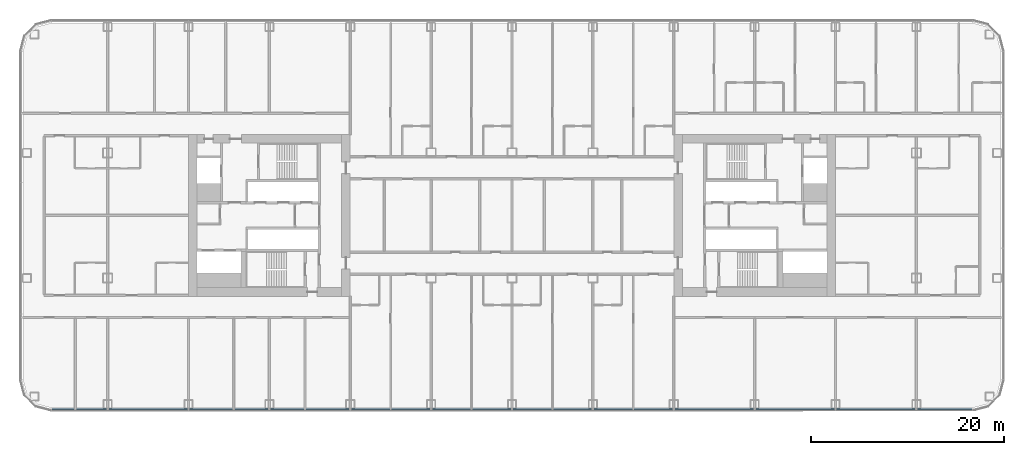
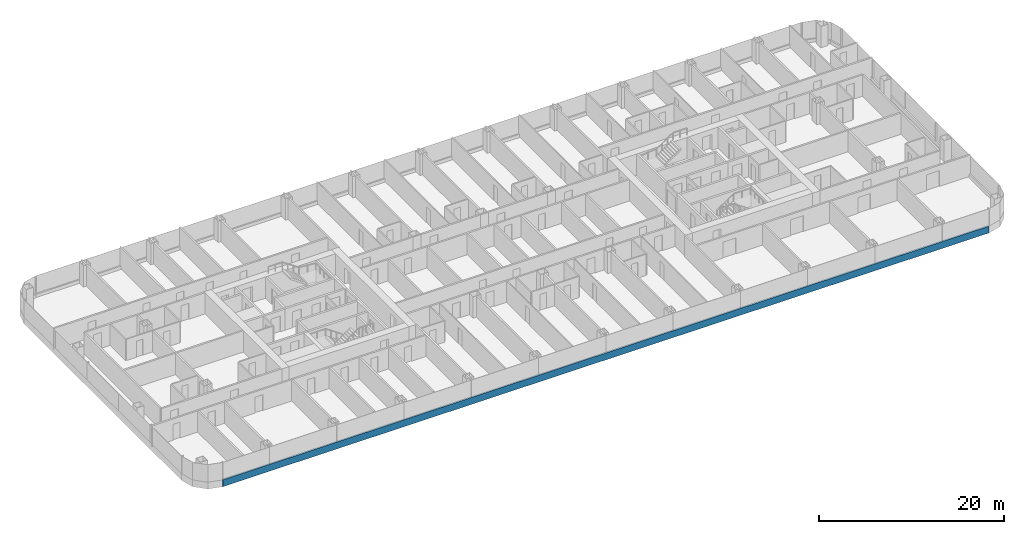
# One storey, part 5 of 28: 1 member, 1 element without a shape of its own.
"""IFC4 building model written with IfcOpenShell, lengths in metres."""

from ifc_helpers import new_model, si_unit, direction, frame, origin, origin_2d, place, context, subcontext, project, spatial, rectangle, extrude, material, layer, layer_set, material_profile, profile_set, type_object, element, aggregate, save


model = new_model("IFC4")

# Units and contexts
model_context = context("Model", 3, precision=1e-05, world=origin(), true_north=direction((0.0, 1.0)))
body_context = subcontext(model_context, "Body", "Model", "MODEL_VIEW")
ifc_project = project(units=[si_unit("LENGTHUNIT", "METRE"), si_unit("AREAUNIT", "SQUARE_METRE"), si_unit("VOLUMEUNIT", "CUBIC_METRE"), si_unit("PLANEANGLEUNIT", "RADIAN"), si_unit("MASSUNIT", "GRAM", prefix="KILO")], contexts=[model_context])

# Site, building, storey
site_placement = place(None, origin())
site = spatial("IfcSite", under=ifc_project, at=site_placement, CompositionType="ELEMENT")
building_placement = place(site_placement, origin())
building = spatial("IfcBuilding", under=site, at=building_placement, Name="Hakoniwa Tower and Hamabe Station Hall", CompositionType="ELEMENT")
storey_placement = place(building_placement, frame((0.0, 0.0, 48.60009765625)))
storey = spatial("IfcBuildingStorey", under=building, at=storey_placement, Name="L13", CompositionType="ELEMENT", Elevation=48.60009765625)

# Curtain wall, member
ifc_material_1 = material(Name="Dark low-e laminated glass", Category="glass")
ifc_layer = layer(ifc_material_1, 0.199951171875)
ifc_layer_set = layer_set([ifc_layer], Name="CW-1 UNITISED GUEST")
curtain_wall_type = type_object("IfcCurtainWallType", Name="CW-1 UNITISED GUEST", PredefinedType="NOTDEFINED", material=ifc_layer_set)
curtain_wall_placement = place(storey_placement, origin())
curtain_wall = element("IfcCurtainWall", 1, at=curtain_wall_placement, inside=storey, type_object=curtain_wall_type, Name="CW-1 curtain wall", PredefinedType="NOTDEFINED")
ifc_material_2 = material(Name="Aluminium 6063-T5 black anodised", Category="aluminium")
ifc_material_profile = material_profile(ifc_material_2, rectangle(XDim=0.199951171875, YDim=0.89990234375, at=origin_2d()), Name="CW SLAB-EDGE BAND 900X200")
ifc_profile_set = profile_set([ifc_material_profile], Name="Aluminium 6063-T5 black anodised")
member_type = type_object("IfcMemberType", Name="CW SLAB-EDGE BAND 900X200", PredefinedType="USERDEFINED", material=ifc_profile_set)
member_placement = place(storey_placement, frame((-47.839599609375, -20.199951171875, -0.10009765625), z_axis=(1.0, 0.0, 0.0), x_axis=(0.0, 1.0, 0.0)))
member = element("IfcMember", 2, at=member_placement, type_object=member_type, Name="CW-1 transom", ObjectType="TRANSOM", PredefinedType="USERDEFINED", context=body_context, shape_type="SweptSolid", body=[
    extrude(rectangle(XDim=0.199951171875, YDim=0.89990234375, at=origin_2d()), origin(), (0.0, 0.0, 1.0), 95.67919921875),
])
aggregate(curtain_wall, [member])

save(model, "model.ifc")
